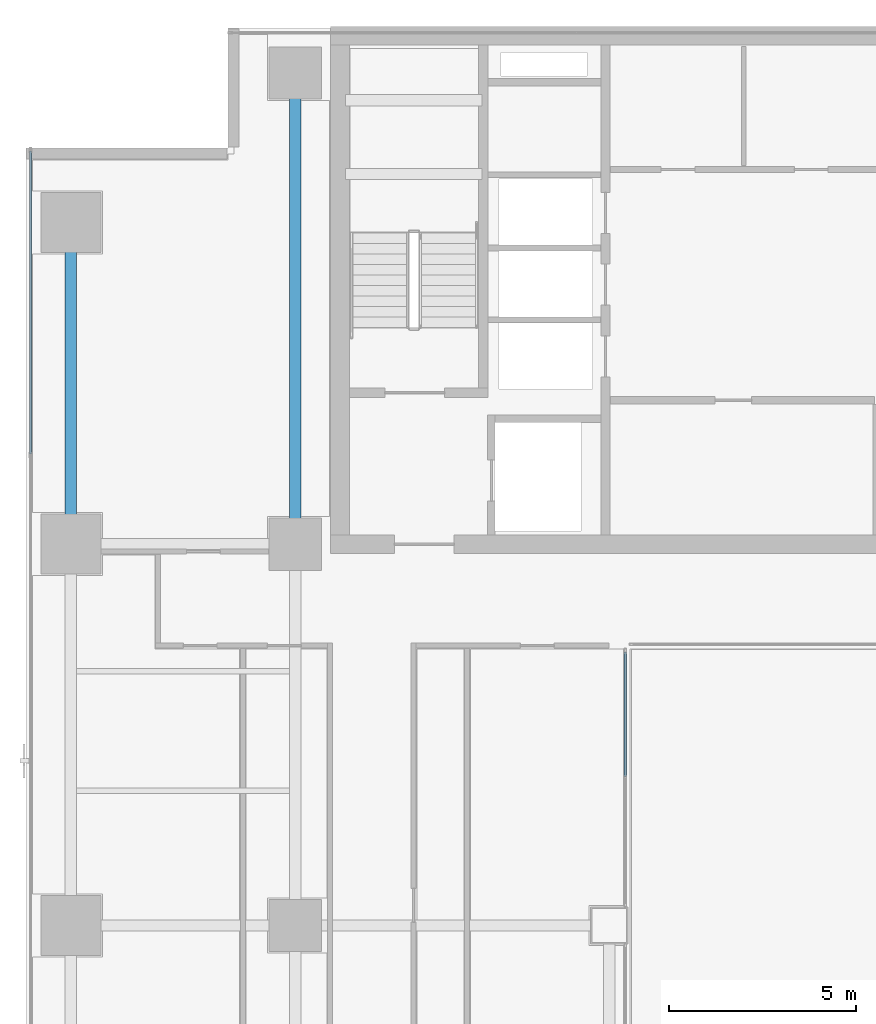
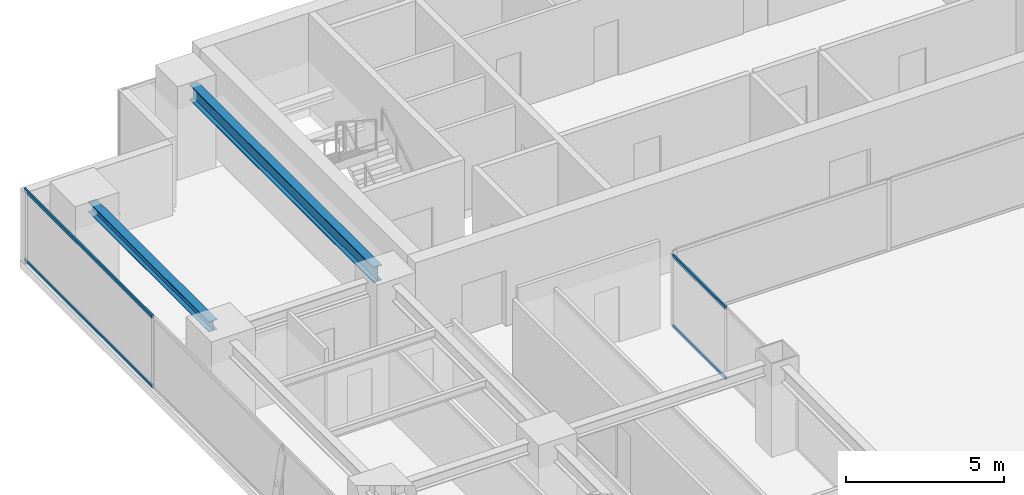
# One storey, part 9 of 30: 4 members, 2 beams, 2 elements without a shape of their own.
"""IFC4 building model written with IfcOpenShell, lengths in metres."""

from ifc_helpers import new_model, si_unit, direction, frame, origin, origin_2d, place, context, subcontext, project, spatial, hollow_rectangle, i_section, extrude, source, transform, mapped, material, layer, layer_set, material_profile, profile_set, type_object, element, aggregate, save


model = new_model("IFC4")

# Units and contexts
model_context = context("Model", 3, precision=1e-05, world=origin(), true_north=direction((0.0, 1.0)))
body_context = subcontext(model_context, "Body", "Model", "MODEL_VIEW")
ifc_project = project(units=[si_unit("LENGTHUNIT", "METRE"), si_unit("AREAUNIT", "SQUARE_METRE"), si_unit("VOLUMEUNIT", "CUBIC_METRE"), si_unit("PLANEANGLEUNIT", "RADIAN"), si_unit("MASSUNIT", "GRAM", prefix="KILO")], contexts=[model_context])

# Site, building, storey
site_placement = place(None, origin())
site = spatial("IfcSite", under=ifc_project, at=site_placement, CompositionType="ELEMENT")
building_placement = place(site_placement, origin())
building = spatial("IfcBuilding", under=site, at=building_placement, Name="Sumidabori Civic Tower", CompositionType="ELEMENT")
storey_placement = place(building_placement, frame((0.0, 0.0, 196.39990234375)))
storey = spatial("IfcBuildingStorey", under=building, at=storey_placement, Name="L50", CompositionType="ELEMENT", Elevation=196.39990234375)

# Beams
ifc_material_1 = material(Name="Steel SN490", Category="steel")
ifc_material_profile_1 = material_profile(ifc_material_1, i_section(OverallWidth=0.300048828125, OverallDepth=0.39990234375, WebThickness=0.013427734375, FlangeThickness=0.02392578125, at=origin_2d()), Name="HE 400 B")
ifc_profile_set_1 = profile_set([ifc_material_profile_1], Name="Steel SN490")
beam_type_1 = type_object("IfcBeamType", Name="BM-GIRD-400", PredefinedType="BEAM", material=ifc_profile_set_1)
shared_shape_1 = source(origin(), body_context, "Body", "SweptSolid", [
    extrude(i_section(OverallWidth=0.300048828125, OverallDepth=0.39990234375, WebThickness=0.013427734375, FlangeThickness=0.02392578125, at=origin_2d()), origin(), (0.0, 0.0, 1.0), 7.64013671875),
])
beam_1_placement = place(storey_placement, frame((-22.800048828125, 10.679931640625, 3.18017578125), z_axis=(0.0, 1.0, 0.0), x_axis=(-1.0, 0.0, 0.0)))
element("IfcBeam", 1, at=beam_1_placement, inside=storey, type_object=beam_type_1, Name="Primary Girder L50 GY-13", PredefinedType="BEAM", context=body_context, shape_type="MappedRepresentation", body=[
    mapped(shared_shape_1, transform((0.0, 0.0, 0.0), x_axis=(1.0, 0.0, 0.0), y_axis=(0.0, 1.0, 0.0), z_axis=(0.0, 0.0, 1.0), scale=1.0)),
])
ifc_material_profile_2 = material_profile(ifc_material_1, i_section(OverallWidth=0.300048828125, OverallDepth=0.60009765625, WebThickness=0.015380859375, FlangeThickness=0.030029296875, at=origin_2d()), Name="HE 600 B")
ifc_profile_set_2 = profile_set([ifc_material_profile_2], Name="Steel SN490")
beam_type_2 = type_object("IfcBeamType", Name="BM-GIRD-600", PredefinedType="BEAM", material=ifc_profile_set_2)
shared_shape_2 = source(origin(), body_context, "Body", "SweptSolid", [
    extrude(i_section(OverallWidth=0.300048828125, OverallDepth=0.60009765625, WebThickness=0.015380859375, FlangeThickness=0.030029296875, at=origin_2d()), origin(), (0.0, 0.0, 1.0), 11.64013671875),
])
beam_2_placement = place(storey_placement, frame((-16.800048828125, 10.679931640625, 3.080078125), z_axis=(0.0, 1.0, 0.0), x_axis=(-1.0, 0.0, 0.0)))
element("IfcBeam", 2, at=beam_2_placement, inside=storey, type_object=beam_type_2, Name="Primary Girder L50 GY-16", PredefinedType="BEAM", context=body_context, shape_type="MappedRepresentation", body=[
    mapped(shared_shape_2, transform((0.0, 0.0, 0.0), x_axis=(1.0, 0.0, 0.0), y_axis=(0.0, 1.0, 0.0), z_axis=(0.0, 0.0, 1.0), scale=1.0)),
])

# Curtain wall, members
ifc_material_2 = material(Name="Anodised Bronze Aluminium AW-6063-T6", Category="aluminium")
ifc_layer_1 = layer(ifc_material_2, 0.179931640625, Name="Anodised Bronze Aluminium AW-6063-T6")
ifc_layer_set_1 = layer_set([ifc_layer_1], Name="Anodised Bronze Aluminium AW-6063-T6")
curtain_wall_type_1 = type_object("IfcCurtainWallType", Name="CW-SYS-4", PredefinedType="NOTDEFINED", material=ifc_layer_set_1)
curtain_wall_1_placement = place(storey_placement, origin())
curtain_wall_1 = element("IfcCurtainWall", 3, at=curtain_wall_1_placement, inside=storey, type_object=curtain_wall_type_1, Name="Curtain Wall CW:L50:R04", PredefinedType="NOTDEFINED")
ifc_material_profile_3 = material_profile(ifc_material_2, hollow_rectangle(XDim=0.06005859375, YDim=0.1298828125, WallThickness=0.0048828125, at=origin_2d()), Name="ALU TRANSOM 130x60")
ifc_profile_set_3 = profile_set([ifc_material_profile_3], Name="Anodised Bronze Aluminium AW-6063-T6")
member_type = type_object("IfcMemberType", Name="CW-TRN-130", PredefinedType="USERDEFINED", material=ifc_profile_set_3)
shared_shape_3 = source(origin(), body_context, "Body", "SweptSolid", [
    extrude(hollow_rectangle(XDim=0.06005859375, YDim=0.1298828125, WallThickness=0.0048828125, at=origin_2d()), origin(), (0.0, 0.0, 1.0), 3.330078125),
])
member_1_placement = place(storey_placement, frame((-7.969970703125, 3.97998046875, 0.030029296875), z_axis=(0.0, 1.0, 0.0), x_axis=(-1.0, 0.0, 0.0)))
member_1 = element("IfcMember", 4, at=member_1_placement, type_object=member_type, Name="CW-4 transom 2.1", ObjectType="TRANSOM", PredefinedType="USERDEFINED", context=body_context, shape_type="MappedRepresentation", body=[
    mapped(shared_shape_3, transform((0.0, 0.0, 0.0), x_axis=(1.0, 0.0, 0.0), y_axis=(0.0, 1.0, 0.0), z_axis=(0.0, 0.0, 1.0), scale=1.0)),
])
member_2_placement = place(storey_placement, frame((-7.969970703125, 3.97998046875, 2.72998046875), z_axis=(0.0, 1.0, 0.0), x_axis=(-1.0, 0.0, 0.0)))
member_2 = element("IfcMember", 5, at=member_2_placement, type_object=member_type, Name="CW-4 transom 2.2", ObjectType="TRANSOM", PredefinedType="USERDEFINED", context=body_context, shape_type="MappedRepresentation", body=[
    mapped(shared_shape_3, transform((0.0, 0.0, 0.0), x_axis=(1.0, 0.0, 0.0), y_axis=(0.0, 1.0, 0.0), z_axis=(0.0, 0.0, 1.0), scale=1.0)),
])
aggregate(curtain_wall_1, [member_1, member_2])

ifc_layer_2 = layer(ifc_material_2, 0.179931640625, Name="Anodised Bronze Aluminium AW-6063-T6")
ifc_layer_set_2 = layer_set([ifc_layer_2], Name="Anodised Bronze Aluminium AW-6063-T6")
curtain_wall_type_2 = type_object("IfcCurtainWallType", Name="CW-SYS-5", PredefinedType="NOTDEFINED", material=ifc_layer_set_2)
curtain_wall_2_placement = place(storey_placement, origin())
curtain_wall_2 = element("IfcCurtainWall", 6, at=curtain_wall_2_placement, inside=storey, type_object=curtain_wall_type_2, Name="Curtain Wall CW:L50:R16", PredefinedType="NOTDEFINED")
shared_shape_4 = source(origin(), body_context, "Body", "SweptSolid", [
    extrude(hollow_rectangle(XDim=0.06005859375, YDim=0.1298828125, WallThickness=0.0048828125, at=origin_2d()), origin(), (0.0, 0.0, 1.0), 8.094970703125),
])
member_3_placement = place(storey_placement, frame((-23.8798828125, 20.7099609375, 0.030029296875), z_axis=(0.0, -1.0, 0.0), x_axis=(1.0, 0.0, 0.0)))
member_3 = element("IfcMember", 7, at=member_3_placement, type_object=member_type, Name="CW-5 transom 1.1", ObjectType="TRANSOM", PredefinedType="USERDEFINED", context=body_context, shape_type="MappedRepresentation", body=[
    mapped(shared_shape_4, transform((0.0, 0.0, 0.0), x_axis=(1.0, 0.0, 0.0), y_axis=(0.0, 1.0, 0.0), z_axis=(0.0, 0.0, 1.0), scale=1.0)),
])
member_4_placement = place(storey_placement, frame((-23.8798828125, 20.7099609375, 2.72998046875), z_axis=(0.0, -1.0, 0.0), x_axis=(1.0, 0.0, 0.0)))
member_4 = element("IfcMember", 8, at=member_4_placement, type_object=member_type, Name="CW-5 transom 1.2", ObjectType="TRANSOM", PredefinedType="USERDEFINED", context=body_context, shape_type="MappedRepresentation", body=[
    mapped(shared_shape_4, transform((0.0, 0.0, 0.0), x_axis=(1.0, 0.0, 0.0), y_axis=(0.0, 1.0, 0.0), z_axis=(0.0, 0.0, 1.0), scale=1.0)),
])
aggregate(curtain_wall_2, [member_3, member_4])

save(model, "model.ifc")
